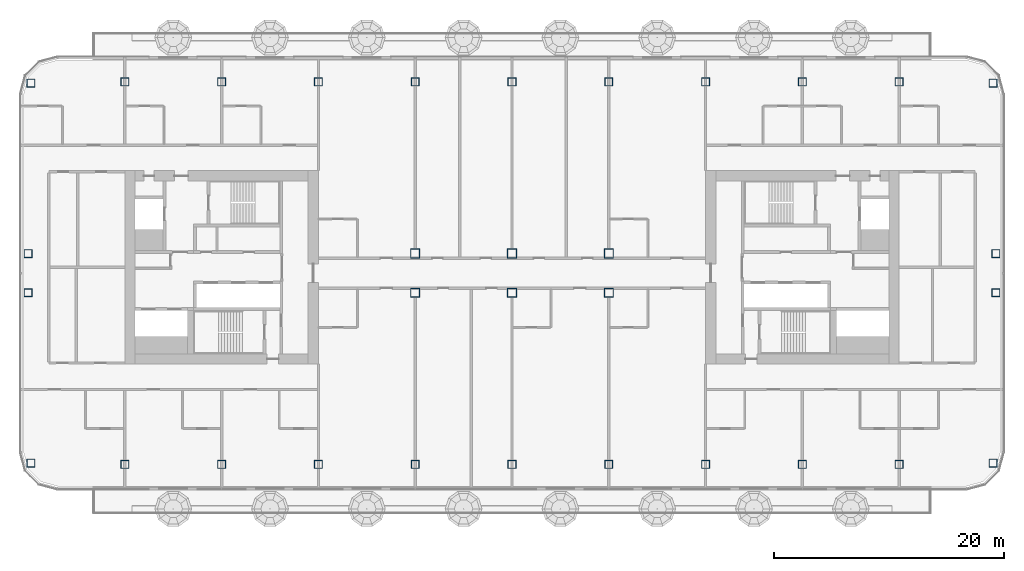
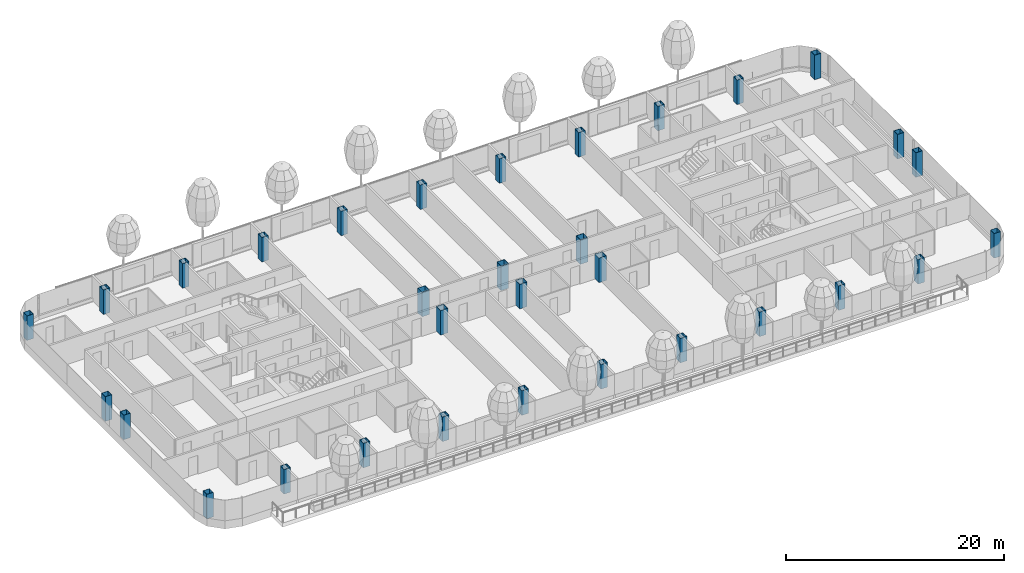
# One storey, part 1 of 29: 32 columns.
"""IFC4 building model written with IfcOpenShell, lengths in metres."""

from ifc_helpers import new_model, si_unit, direction, frame, origin, origin_2d, place, context, subcontext, project, spatial, hollow_rectangle, extrude, material, material_profile, profile_set, type_object, element, save


model = new_model("IFC4")

# Units and contexts
model_context = context("Model", 3, precision=1e-05, world=origin(), true_north=direction((0.0, 1.0)))
body_context = subcontext(model_context, "Body", "Model", "MODEL_VIEW")
ifc_project = project(units=[si_unit("LENGTHUNIT", "METRE"), si_unit("AREAUNIT", "SQUARE_METRE"), si_unit("VOLUMEUNIT", "CUBIC_METRE"), si_unit("PLANEANGLEUNIT", "RADIAN"), si_unit("MASSUNIT", "GRAM", prefix="KILO")], contexts=[model_context])

# Site, building, storey
site_placement = place(None, origin())
site = spatial("IfcSite", under=ifc_project, at=site_placement, CompositionType="ELEMENT")
building_placement = place(site_placement, origin())
building = spatial("IfcBuilding", under=site, at=building_placement, Name="Hakoniwa Tower and Hamabe Station Hall", CompositionType="ELEMENT")
storey_placement = place(building_placement, frame((0.0, 0.0, 163.0)))
storey = spatial("IfcBuildingStorey", under=building, at=storey_placement, Name="L46", CompositionType="ELEMENT", Elevation=163.0)

# Columns
ifc_material_1 = material(Name="Steel SN490C", Category="steel")
ifc_material_profile_1 = material_profile(ifc_material_1, hollow_rectangle(XDim=0.699951171875, YDim=0.699951171875, WallThickness=0.028076171875, at=origin_2d()), Name="BX-700x700x28")
ifc_profile_set_1 = profile_set([ifc_material_profile_1], Name="Steel SN490C")
column_type_1 = type_object("IfcColumnType", Name="COLUMN BX-700x700x28", PredefinedType="COLUMN", material=ifc_profile_set_1)
for number, where, z_axis, x_axis, name in (
    (1, (-41.74853515625, -16.99365234375, 0.0), (0.0, 0.0, 1.0), (1.0, 0.0, 0.0), "Column B3-2-A3"),
    (2, (-42.0, -2.199951171875, 0.0), (0.0, 0.0, 1.0), (1.0, 0.0, 0.0), "Column B3-2-C3"),
    (3, (-42.0, 1.199951171875, 0.0), (0.0, 0.0, 1.0), (1.0, 0.0, 0.0), "Column B3-2-D3"),
    (4, (-41.74853515625, 15.99365234375, 0.0), (0.0, 0.0, 1.0), (1.0, 0.0, 0.0), "Column B3-2-F3"),
    (5, (-33.60009765625, -17.10009765625, 0.0), (0.0, 0.0, 1.0), (1.0, 0.0, 0.0), "Column B3-3-A3"),
    (6, (-33.60009765625, 16.10009765625, 0.0), (0.0, 0.0, 1.0), (1.0, 0.0, 0.0), "Column B3-3-F3"),
    (7, (-25.199951171875, -17.10009765625, 0.0), (0.0, 0.0, 1.0), (1.0, 0.0, 0.0), "Column B3-4-A3"),
    (8, (-25.199951171875, 16.10009765625, 0.0), (0.0, 0.0, 1.0), (1.0, 0.0, 0.0), "Column B3-4-F3"),
    (9, (-16.800048828125, -17.10009765625, 0.0), (0.0, 0.0, 1.0), (1.0, 0.0, 0.0), "Column B3-5-A3"),
    (10, (-16.800048828125, 16.10009765625, 0.0), (0.0, 0.0, 1.0), (1.0, 0.0, 0.0), "Column B3-5-F3"),
    (11, (-8.39990234375, -17.10009765625, 0.0), (0.0, 0.0, 1.0), (1.0, 0.0, 0.0), "Column B3-6-A3"),
    (12, (-8.39990234375, 16.10009765625, 0.0), (0.0, 0.0, 1.0), (1.0, 0.0, 0.0), "Column B3-6-F3"),
    (13, (0.0, -17.10009765625, 0.0), (0.0, 0.0, 1.0), (1.0, 0.0, 0.0), "Column B3-7-A3"),
    (14, (0.0, 16.10009765625, 0.0), (0.0, 0.0, 1.0), (1.0, 0.0, 0.0), "Column B3-7-F3"),
    (15, (8.39990234375, -17.10009765625, 0.0), (0.0, 0.0, 1.0), (1.0, 0.0, 0.0), "Column B3-8-A3"),
    (16, (8.39990234375, 16.10009765625, 0.0), (0.0, 0.0, 1.0), (1.0, 0.0, 0.0), "Column B3-8-F3"),
    (17, (16.800048828125, -17.10009765625, 0.0), (0.0, 0.0, 1.0), (1.0, 0.0, 0.0), "Column B3-9-A3"),
    (18, (16.800048828125, 16.10009765625, 0.0), (0.0, 0.0, 1.0), (1.0, 0.0, 0.0), "Column B3-9-F3"),
    (19, (25.199951171875, -17.10009765625, 0.0), (0.0, 0.0, 1.0), (1.0, 0.0, 0.0), "Column B3-10-A3"),
    (20, (25.199951171875, 16.10009765625, 0.0), (0.0, 0.0, 1.0), (1.0, 0.0, 0.0), "Column B3-10-F3"),
    (21, (33.60009765625, -17.10009765625, 0.0), (0.0, 0.0, 1.0), (1.0, 0.0, 0.0), "Column B3-11-A3"),
    (22, (33.60009765625, 16.10009765625, 0.0), (0.0, 0.0, 1.0), (1.0, 0.0, 0.0), "Column B3-11-F3"),
    (23, (41.74853515625, -16.99365234375, 0.0), (0.0, 0.0, 1.0), (1.0, 0.0, 0.0), "Column B3-12-A3"),
    (24, (42.0, -2.199951171875, 0.0), (0.0, 0.0, 1.0), (1.0, 0.0, 0.0), "Column B3-12-C3"),
    (25, (42.0, 1.199951171875, 0.0), (0.0, 0.0, 1.0), (1.0, 0.0, 0.0), "Column B3-12-D3"),
    (26, (41.74853515625, 15.99365234375, 0.0), (0.0, 0.0, 1.0), (1.0, 0.0, 0.0), "Column B3-12-F3"),
):
    element("IfcColumn", number, at=place(storey_placement, frame(where, z_axis=z_axis, x_axis=x_axis)), inside=storey, type_object=column_type_1, Name=name, PredefinedType="COLUMN", context=body_context, shape_type="SweptSolid", body=[
        extrude(hollow_rectangle(XDim=0.699951171875, YDim=0.699951171875, WallThickness=0.028076171875, at=origin_2d()), origin(), (0.0, 0.0, 1.0), 2.75),
    ])
ifc_material_2 = material(Name="Steel SN490C", Category="steel")
ifc_material_profile_2 = material_profile(ifc_material_2, hollow_rectangle(XDim=0.800048828125, YDim=0.800048828125, WallThickness=0.031982421875, at=origin_2d()), Name="BX-800x800x32")
ifc_profile_set_2 = profile_set([ifc_material_profile_2], Name="Steel SN490C")
column_type_2 = type_object("IfcColumnType", Name="COLUMN BX-800x800x32", PredefinedType="COLUMN", material=ifc_profile_set_2)
for number, where, z_axis, x_axis, name in (
    (27, (-8.39990234375, -2.199951171875, 0.0), (0.0, 0.0, 1.0), (1.0, 0.0, 0.0), "Column B3-6-C3"),
    (28, (-8.39990234375, 1.199951171875, 0.0), (0.0, 0.0, 1.0), (1.0, 0.0, 0.0), "Column B3-6-D3"),
    (29, (0.0, -2.199951171875, 0.0), (0.0, 0.0, 1.0), (1.0, 0.0, 0.0), "Column B3-7-C3"),
    (30, (0.0, 1.199951171875, 0.0), (0.0, 0.0, 1.0), (1.0, 0.0, 0.0), "Column B3-7-D3"),
    (31, (8.39990234375, -2.199951171875, 0.0), (0.0, 0.0, 1.0), (1.0, 0.0, 0.0), "Column B3-8-C3"),
    (32, (8.39990234375, 1.199951171875, 0.0), (0.0, 0.0, 1.0), (1.0, 0.0, 0.0), "Column B3-8-D3"),
):
    element("IfcColumn", number, at=place(storey_placement, frame(where, z_axis=z_axis, x_axis=x_axis)), inside=storey, type_object=column_type_2, Name=name, PredefinedType="COLUMN", context=body_context, shape_type="SweptSolid", body=[
        extrude(hollow_rectangle(XDim=0.800048828125, YDim=0.800048828125, WallThickness=0.031982421875, at=origin_2d()), origin(), (0.0, 0.0, 1.0), 2.75),
    ])

save(model, "model.ifc")
